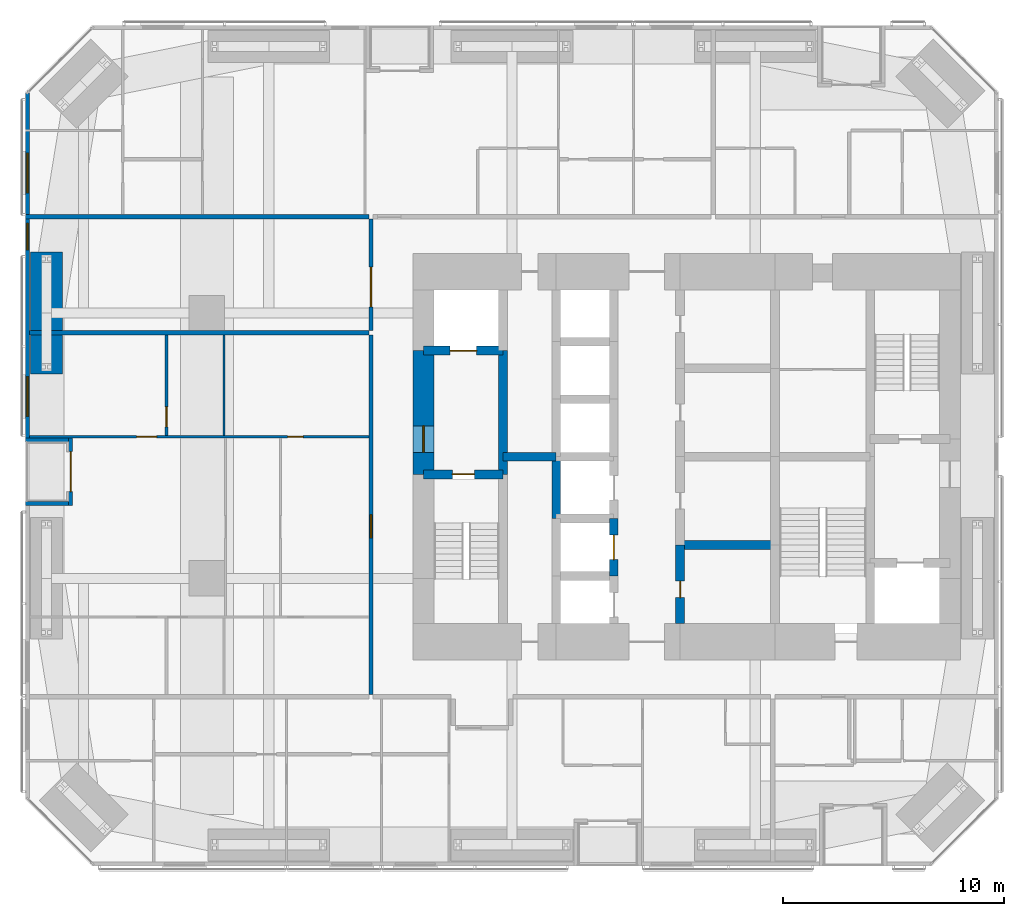
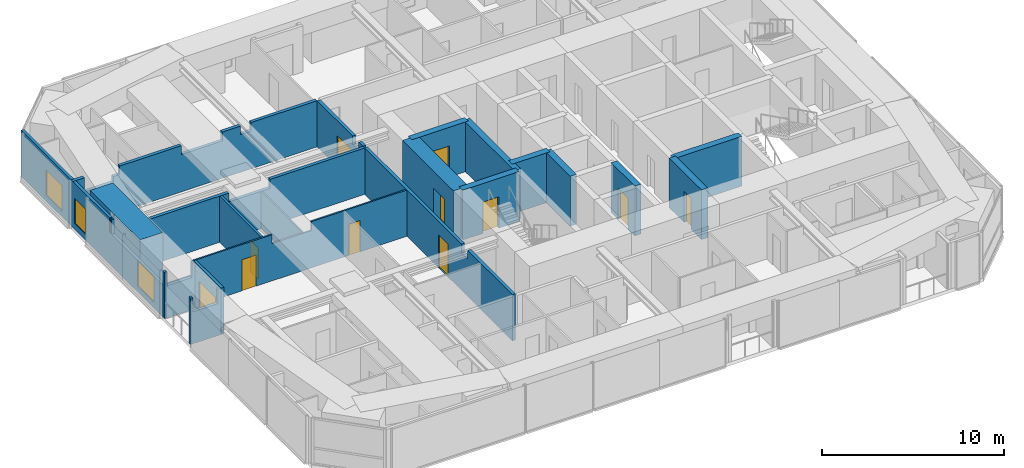
# One storey, part 19 of 24: 21 walls, 11 doors, 3 windows, 14 openings.
"""IFC4 building model written with IfcOpenShell, lengths in metres."""

from ifc_helpers import new_model, si_unit, direction, frame, frame_2d, origin, place, context, subcontext, project, spatial, polyline, rectangle, outline, extrude, material, layer, layer_set, constituent, constituent_set, type_object, element, fill, save


model = new_model("IFC4")

# Units and contexts
model_context = context("Model", 3, precision=1e-05, world=origin(), true_north=direction((0.0, 1.0)))
body_context = subcontext(model_context, "Body", "Model", "MODEL_VIEW")
ifc_project = project(units=[si_unit("LENGTHUNIT", "METRE"), si_unit("AREAUNIT", "SQUARE_METRE"), si_unit("VOLUMEUNIT", "CUBIC_METRE"), si_unit("PLANEANGLEUNIT", "RADIAN"), si_unit("MASSUNIT", "GRAM", prefix="KILO")], contexts=[model_context])

# Site, building, storey
site_placement = place(None, origin())
site = spatial("IfcSite", under=ifc_project, at=site_placement, CompositionType="ELEMENT")
building_placement = place(site_placement, origin())
building = spatial("IfcBuilding", under=site, at=building_placement, Name="Jalousie Tower", CompositionType="ELEMENT")
storey_placement = place(building_placement, frame((0.0, 0.0, 57.85009765625)))
storey = spatial("IfcBuildingStorey", under=building, at=storey_placement, Name="L15", CompositionType="ELEMENT", Elevation=57.85009765625)

# Wall, opening, door
ifc_material_1 = material(Name="Concrete block ASTM C90", Category="concrete")
ifc_constituent_1 = constituent(ifc_material_1, Name="Body")
ifc_material_2 = material(Name="Render")
ifc_constituent_2 = constituent(ifc_material_2, Name="Finish")
ifc_constituent_set_1 = constituent_set(constituents=[ifc_constituent_1, ifc_constituent_2])
wall_type_1 = type_object("IfcWallType", Name="BATHROOM WALL 150", PredefinedType="PLUMBINGWALL", material=ifc_constituent_set_1)
wall_1_placement = place(storey_placement, frame((8.375, 19.449951171875, 0.0), z_axis=(0.0, 0.0, 1.0), x_axis=(0.0, 1.0, 0.0)))
wall_1 = element("IfcWall", 1, at=wall_1_placement, inside=storey, type_object=wall_type_1, Name="Bathroom Wall 150 L15", PredefinedType="PLUMBINGWALL", context=body_context, shape_type="SweptSolid", body=[
    extrude(rectangle(XDim=4.550048828125, YDim=0.14990234375, at=frame_2d((2.27490234375, 0.0))), origin(), (0.0, 0.0, 1.0), 3.10986328125),
])
opening_1_placement = place(wall_1_placement, frame((0.39990234375, 0.0, 0.0)))
opening_1 = element("IfcOpeningElement", 2, at=opening_1_placement, cuts=wall_1, Name="Opening D3", PredefinedType="OPENING", context=body_context, shape_type="SweptSolid", body=[
    extrude(rectangle(XDim=0.89990234375, YDim=2.10009765625, at=frame_2d((0.449951171875, 1.050048828125))), frame((0.0, 0.0849609375, 0.0), z_axis=(0.0, -1.0, 0.0), x_axis=(1.0, 0.0, 0.0)), (0.0, 0.0, 1.0), 0.169921875),
])
ifc_material_3 = material(Name="Timber door", Category="wood")
door_type_1 = type_object("IfcDoorType", Name="BATHROOM DOOR 900", OperationType="SINGLE_SWING_LEFT", PredefinedType="DOOR", material=ifc_material_3)
door_1_placement = place(opening_1_placement, frame((0.89990234375, 0.0, 0.0), z_axis=(0.0, 0.0, 1.0), x_axis=(-1.0, 0.0, 0.0)))
door_1 = element("IfcDoor", 3, at=door_1_placement, inside=storey, type_object=door_type_1, Name="Apartment 1505 bedroom 2 bathroom door", OperationType="SINGLE_SWING_RIGHT", OverallHeight=2.10009765625, OverallWidth=0.89990234375, PredefinedType="DOOR", context=body_context, shape_type="SweptSolid", body=[
    extrude(rectangle(XDim=0.89990234375, YDim=2.10009765625, at=frame_2d((0.449951171875, 1.050048828125))), frame((0.0, 0.02490234375, 0.0), z_axis=(0.0, -1.0, 0.0), x_axis=(1.0, 0.0, 0.0)), (0.0, 0.0, 1.0), 0.050048828125),
])
fill(opening_1, door_1)

# Walls
ifc_material_4 = material(Name="Concrete f'c 120 MPa", Category="concrete")
ifc_layer_1 = layer(ifc_material_4, 0.39990234375)
ifc_layer_set_1 = layer_set([ifc_layer_1], Name="Concrete f'c 120 MPa")
wall_type_2 = type_object("IfcWallType", Name="CORE WALL 400", PredefinedType="SHEAR", material=ifc_layer_set_1)
wall_2_placement = place(storey_placement, frame((23.60009765625, 17.699951171875, 0.0), z_axis=(0.0, 0.0, 1.0), x_axis=(0.0, 1.0, 0.0)))
element("IfcWall", 4, at=wall_2_placement, inside=storey, type_object=wall_type_2, Name="Core wall X23.6B L15", PredefinedType="SHEAR", context=body_context, shape_type="SweptSolid", body=[
    extrude(rectangle(XDim=5.60009765625, YDim=0.39990234375, at=frame_2d((2.800048828125, 0.0))), origin(), (0.0, 0.0, 1.0), 3.349853515625),
])
wall_3_placement = place(storey_placement, frame((26.0, 15.699951171875, 0.0), z_axis=(0.0, 0.0, 1.0), x_axis=(0.0, 1.0, 0.0)))
element("IfcWall", 5, at=wall_3_placement, inside=storey, type_object=wall_type_2, Name="Core wall X26C L15", PredefinedType="SHEAR", context=body_context, shape_type="SweptSolid", body=[
    extrude(rectangle(XDim=2.800048828125, YDim=0.39990234375, at=frame_2d((1.39990234375, 0.0))), origin(), (0.0, 0.0, 1.0), 3.349853515625),
])

# Wall, opening, door
wall_4_placement = place(storey_placement, frame((28.60009765625, 13.10009765625, 0.0), z_axis=(0.0, 0.0, 1.0), x_axis=(0.0, 1.0, 0.0)))
wall_4 = element("IfcWall", 6, at=wall_4_placement, inside=storey, type_object=wall_type_2, Name="Core wall X28.6B L15", PredefinedType="SHEAR", context=body_context, shape_type="SweptSolid", body=[
    extrude(rectangle(XDim=2.599853515625, YDim=0.39990234375, at=frame_2d((1.2998046875, 0.0))), origin(), (0.0, 0.0, 1.0), 3.349853515625),
])
opening_2_placement = place(wall_4_placement, frame((0.75, 0.0, 0.0)))
opening_2 = element("IfcOpeningElement", 7, at=opening_2_placement, cuts=wall_4, Name="Opening LD1", PredefinedType="OPENING", context=body_context, shape_type="SweptSolid", body=[
    extrude(rectangle(XDim=1.10009765625, YDim=2.10009765625, at=frame_2d((0.550048828125, 1.050048828125))), frame((0.0, 0.2099609375, 0.0), z_axis=(0.0, -1.0, 0.0), x_axis=(1.0, 0.0, 0.0)), (0.0, 0.0, 1.0), 0.419921875),
])
ifc_material_5 = material(Name="Steel lift landing door", Category="steel")
door_type_2 = type_object("IfcDoorType", Name="LIFT LANDING DOOR 1100", OperationType="SLIDING_TO_LEFT", PredefinedType="DOOR", material=ifc_material_5)
door_2_placement = place(opening_2_placement, origin())
door_2 = element("IfcDoor", 8, at=door_2_placement, inside=storey, type_object=door_type_2, Name="Lift P2 landing door", OperationType="SLIDING_TO_LEFT", OverallHeight=2.10009765625, OverallWidth=1.10009765625, PredefinedType="DOOR", context=body_context, shape_type="SweptSolid", body=[
    extrude(rectangle(XDim=1.10009765625, YDim=2.10009765625, at=frame_2d((0.550048828125, 1.050048828125))), frame((0.0, 0.02490234375, 0.0), z_axis=(0.0, -1.0, 0.0), x_axis=(1.0, 0.0, 0.0)), (0.0, 0.0, 1.0), 0.050048828125),
])
fill(opening_2, door_2)

wall_5_placement = place(storey_placement, frame((31.60009765625, 10.949951171875, 0.0), z_axis=(0.0, 0.0, 1.0), x_axis=(0.0, 1.0, 0.0)))
wall_5 = element("IfcWall", 9, at=wall_5_placement, inside=storey, type_object=wall_type_2, Name="Core wall X31.6A L15", PredefinedType="SHEAR", context=body_context, shape_type="SweptSolid", body=[
    extrude(rectangle(XDim=3.550048828125, YDim=0.39990234375, at=frame_2d((1.77490234375, 0.0))), origin(), (0.0, 0.0, 1.0), 3.349853515625),
])
opening_3_placement = place(wall_5_placement, frame((1.175048828125, 0.0, 0.0)))
opening_3 = element("IfcOpeningElement", 10, at=opening_3_placement, cuts=wall_5, Name="Opening D16", PredefinedType="OPENING", context=body_context, shape_type="SweptSolid", body=[
    extrude(rectangle(XDim=0.75, YDim=2.10009765625, at=frame_2d((0.375, 1.050048828125))), frame((0.0, 0.2099609375, 0.0), z_axis=(0.0, -1.0, 0.0), x_axis=(1.0, 0.0, 0.0)), (0.0, 0.0, 1.0), 0.419921875),
])
ifc_material_6 = material(Name="Steel fire door", Category="steel")
door_type_3 = type_object("IfcDoorType", Name="RISER DOOR 750", OperationType="SINGLE_SWING_LEFT", PredefinedType="DOOR", material=ifc_material_6)
door_3_placement = place(opening_3_placement, frame((0.75, 0.0, 0.0), z_axis=(0.0, 0.0, 1.0), x_axis=(-1.0, 0.0, 0.0)))
door_3 = element("IfcDoor", 11, at=door_3_placement, inside=storey, type_object=door_type_3, Name="Refuse Room door", OperationType="SINGLE_SWING_RIGHT", OverallHeight=2.10009765625, OverallWidth=0.75, PredefinedType="DOOR", context=body_context, shape_type="SweptSolid", body=[
    extrude(rectangle(XDim=0.75, YDim=2.10009765625, at=frame_2d((0.375, 1.050048828125))), frame((0.0, 0.02490234375, 0.0), z_axis=(0.0, -1.0, 0.0), x_axis=(1.0, 0.0, 0.0)), (0.0, 0.0, 1.0), 0.050048828125),
])
fill(opening_3, door_3)

wall_6_placement = place(storey_placement, frame((20.0, 17.699951171875, 0.0), z_axis=(0.0, 0.0, 1.0), x_axis=(1.0, 0.0, 0.0)))
wall_6 = element("IfcWall", 12, at=wall_6_placement, inside=storey, type_object=wall_type_2, Name="Core wall Y20-17.7 L15", PredefinedType="SHEAR", context=body_context, shape_type="SweptSolid", body=[
    extrude(rectangle(XDim=3.60009765625, YDim=0.39990234375, at=frame_2d((1.800048828125, 0.0))), origin(), (0.0, 0.0, 1.0), 3.349853515625),
])
opening_4_placement = place(wall_6_placement, frame((1.300048828125, 0.0, 0.0)))
opening_4 = element("IfcOpeningElement", 13, at=opening_4_placement, cuts=wall_6, Name="Opening D10", PredefinedType="OPENING", context=body_context, shape_type="SweptSolid", body=[
    extrude(rectangle(XDim=1.0, YDim=2.10009765625, at=frame_2d((0.5, 1.050048828125))), frame((0.0, 0.2099609375, 0.0), z_axis=(0.0, -1.0, 0.0), x_axis=(1.0, 0.0, 0.0)), (0.0, 0.0, 1.0), 0.419921875),
])
ifc_material_7 = material(Name="Steel fire door", Category="steel")
door_type_4 = type_object("IfcDoorType", Name="STAIR DOOR 1000", OperationType="SINGLE_SWING_LEFT", PredefinedType="DOOR", material=ifc_material_7)
door_4_placement = place(opening_4_placement, frame((1.0, 0.0, 0.0), z_axis=(0.0, 0.0, 1.0), x_axis=(-1.0, 0.0, 0.0)))
door_4 = element("IfcDoor", 14, at=door_4_placement, inside=storey, type_object=door_type_4, Name="Exit stair A door", OperationType="SINGLE_SWING_RIGHT", OverallHeight=2.10009765625, OverallWidth=1.0, PredefinedType="DOOR", context=body_context, shape_type="SweptSolid", body=[
    extrude(rectangle(XDim=1.0, YDim=2.10009765625, at=frame_2d((0.5, 1.050048828125))), frame((0.0, 0.02490234375, 0.0), z_axis=(0.0, -1.0, 0.0), x_axis=(1.0, 0.0, 0.0)), (0.0, 0.0, 1.0), 0.050048828125),
])
fill(opening_4, door_4)

wall_7_placement = place(storey_placement, frame((20.0, 23.300048828125, 0.0), z_axis=(0.0, 0.0, 1.0), x_axis=(1.0, 0.0, 0.0)))
wall_7 = element("IfcWall", 15, at=wall_7_placement, inside=storey, type_object=wall_type_2, Name="Core wall Y20-23.3 L15", PredefinedType="SHEAR", context=body_context, shape_type="SweptSolid", body=[
    extrude(rectangle(XDim=3.60009765625, YDim=0.39990234375, at=frame_2d((1.800048828125, 0.0))), origin(), (0.0, 0.0, 1.0), 3.349853515625),
])
opening_5_placement = place(wall_7_placement, frame((1.199951171875, 0.0, 0.0)))
opening_5 = element("IfcOpeningElement", 16, at=opening_5_placement, cuts=wall_7, Name="Opening LD2", PredefinedType="OPENING", context=body_context, shape_type="SweptSolid", body=[
    extrude(rectangle(XDim=1.199951171875, YDim=2.10009765625, at=frame_2d((0.60009765625, 1.050048828125))), frame((0.0, 0.2099609375, 0.0), z_axis=(0.0, -1.0, 0.0), x_axis=(1.0, 0.0, 0.0)), (0.0, 0.0, 1.0), 0.419921875),
])
ifc_material_8 = material(Name="Steel lift landing door", Category="steel")
door_type_5 = type_object("IfcDoorType", Name="LIFT LANDING DOOR 1200", OperationType="SLIDING_TO_LEFT", PredefinedType="DOOR", material=ifc_material_8)
door_5_placement = place(opening_5_placement, origin())
door_5 = element("IfcDoor", 17, at=door_5_placement, inside=storey, type_object=door_type_5, Name="Lift F1 landing door", OperationType="SLIDING_TO_LEFT", OverallHeight=2.10009765625, OverallWidth=1.199951171875, PredefinedType="DOOR", context=body_context, shape_type="SweptSolid", body=[
    extrude(rectangle(XDim=1.199951171875, YDim=2.10009765625, at=frame_2d((0.60009765625, 1.050048828125))), frame((0.0, 0.02490234375, 0.0), z_axis=(0.0, -1.0, 0.0), x_axis=(1.0, 0.0, 0.0)), (0.0, 0.0, 1.0), 0.050048828125),
])
fill(opening_5, door_5)

# Walls
wall_8_placement = place(storey_placement, frame((23.60009765625, 18.5, 0.0), z_axis=(0.0, 0.0, 1.0), x_axis=(1.0, 0.0, 0.0)))
element("IfcWall", 18, at=wall_8_placement, inside=storey, type_object=wall_type_2, Name="Core wall Y23.6-18.5 L15", PredefinedType="SHEAR", context=body_context, shape_type="SweptSolid", body=[
    extrude(rectangle(XDim=2.39990234375, YDim=0.39990234375, at=frame_2d((1.199951171875, 0.0))), origin(), (0.0, 0.0, 1.0), 3.349853515625),
])
wall_9_placement = place(storey_placement, frame((31.60009765625, 14.5, 0.0), z_axis=(0.0, 0.0, 1.0), x_axis=(1.0, 0.0, 0.0)))
element("IfcWall", 19, at=wall_9_placement, inside=storey, type_object=wall_type_2, Name="Core wall Y31.6-14.5 L15", PredefinedType="SHEAR", context=body_context, shape_type="SweptSolid", body=[
    extrude(rectangle(XDim=4.2998046875, YDim=0.39990234375, at=frame_2d((2.14990234375, 0.0))), origin(), (0.0, 0.0, 1.0), 3.349853515625),
])

# Wall, opening, door
ifc_material_9 = material(Name="Concrete f'c 120 MPa", Category="concrete")
ifc_layer_2 = layer(ifc_material_9, 0.949951171875)
ifc_layer_set_2 = layer_set([ifc_layer_2], Name="Concrete f'c 120 MPa")
wall_type_3 = type_object("IfcWallType", Name="CORE WALL 950", PredefinedType="SHEAR", material=ifc_layer_set_2)
wall_10_placement = place(storey_placement, frame((20.0, 23.300048828125, 0.0), z_axis=(0.0, 0.0, 1.0), x_axis=(0.0, -1.0, 0.0)))
wall_10 = element("IfcWall", 20, at=wall_10_placement, inside=storey, type_object=wall_type_3, Name="Core wall WB L15", PredefinedType="SHEAR", context=body_context, shape_type="SweptSolid", body=[
    extrude(rectangle(XDim=5.60009765625, YDim=0.949951171875, at=frame_2d((2.800048828125, 0.0))), origin(), (0.0, 0.0, 1.0), 3.349853515625),
])
opening_6_placement = place(wall_10_placement, frame((3.39990234375, 0.0, 0.0)))
opening_6 = element("IfcOpeningElement", 21, at=opening_6_placement, cuts=wall_10, Name="Opening D11", PredefinedType="OPENING", context=body_context, shape_type="SweptSolid", body=[
    extrude(rectangle(XDim=1.199951171875, YDim=2.199951171875, at=frame_2d((0.60009765625, 1.10009765625))), frame((0.0, 0.48486328125, 0.0), z_axis=(0.0, -1.0, 0.0), x_axis=(1.0, 0.0, 0.0)), (0.0, 0.0, 1.0), 0.969970703125),
])
ifc_material_10 = material(Name="Steel fire door", Category="steel")
door_type_6 = type_object("IfcDoorType", Name="FIRE DOOR 1200", OperationType="SINGLE_SWING_LEFT", PredefinedType="DOOR", material=ifc_material_10)
door_6_placement = place(opening_6_placement, origin())
door_6 = element("IfcDoor", 22, at=door_6_placement, inside=storey, type_object=door_type_6, Name="Fire-fighting lobby A door", OperationType="SINGLE_SWING_RIGHT", OverallHeight=2.199951171875, OverallWidth=1.199951171875, PredefinedType="DOOR", context=body_context, shape_type="SweptSolid", body=[
    extrude(rectangle(XDim=1.199951171875, YDim=2.199951171875, at=frame_2d((0.60009765625, 1.10009765625))), frame((0.0, 0.02490234375, 0.0), z_axis=(0.0, -1.0, 0.0), x_axis=(1.0, 0.0, 0.0)), (0.0, 0.0, 1.0), 0.050048828125),
])
fill(opening_6, door_6)

ifc_material_11 = material(Name="Concrete block ASTM C90", Category="concrete")
ifc_constituent_3 = constituent(ifc_material_11, Name="Body")
ifc_material_12 = material(Name="Render")
ifc_constituent_4 = constituent(ifc_material_12, Name="Finish")
ifc_constituent_set_2 = constituent_set(constituents=[ifc_constituent_3, ifc_constituent_4])
wall_type_4 = type_object("IfcWallType", Name="CORRIDOR WALL 200", PredefinedType="PARTITIONING", material=ifc_constituent_set_2)
wall_11_placement = place(storey_placement, frame((17.625, 7.75, 0.0), z_axis=(0.0, 0.0, 1.0), x_axis=(0.0, 1.0, 0.0)))
wall_11 = element("IfcWall", 23, at=wall_11_placement, inside=storey, type_object=wall_type_4, Name="Corridor Wall 200 L15", PredefinedType="PARTITIONING", context=body_context, shape_type="SweptSolid", body=[
    extrude(outline(polyline([(0.0, 0.0), (16.25, 0.0), (16.25, 3.10986328125), (5.58740234375, 3.10986328125), (5.58740234375, 2.541015625), (4.91259765625, 2.541015625), (4.91259765625, 3.10986328125), (0.0, 3.10986328125), (0.0, 0.0)])), frame((0.0, 0.10009765625, 0.0), z_axis=(0.0, -1.0, 0.0), x_axis=(1.0, 0.0, 0.0)), (0.0, 0.0, 1.0), 0.199951171875),
])
opening_7_placement = place(wall_11_placement, frame((7.074951171875, 0.0, 0.0)))
opening_7 = element("IfcOpeningElement", 24, at=opening_7_placement, cuts=wall_11, Name="Opening D1", PredefinedType="OPENING", context=body_context, shape_type="SweptSolid", body=[
    extrude(rectangle(XDim=1.050048828125, YDim=2.199951171875, at=frame_2d((0.52490234375, 1.10009765625))), frame((0.0, 0.10986328125, 0.0), z_axis=(0.0, -1.0, 0.0), x_axis=(1.0, 0.0, 0.0)), (0.0, 0.0, 1.0), 0.219970703125),
])
ifc_material_13 = material(Name="Timber fire door", Category="wood")
door_type_7 = type_object("IfcDoorType", Name="APARTMENT ENTRANCE DOOR 1050", OperationType="SINGLE_SWING_LEFT", PredefinedType="DOOR", material=ifc_material_13)
door_7_placement = place(opening_7_placement, origin())
door_7 = element("IfcDoor", 25, at=door_7_placement, inside=storey, type_object=door_type_7, Name="Apartment 1505 entrance", OperationType="SINGLE_SWING_LEFT", OverallHeight=2.199951171875, OverallWidth=1.050048828125, PredefinedType="DOOR", context=body_context, shape_type="SweptSolid", body=[
    extrude(rectangle(XDim=1.050048828125, YDim=2.199951171875, at=frame_2d((0.52490234375, 1.10009765625))), frame((0.0, 0.02490234375, 0.0), z_axis=(0.0, -1.0, 0.0), x_axis=(1.0, 0.0, 0.0)), (0.0, 0.0, 1.0), 0.050048828125),
])
fill(opening_7, door_7)

wall_12_placement = place(storey_placement, frame((17.625, 24.199951171875, 0.0), z_axis=(0.0, 0.0, 1.0), x_axis=(0.0, 1.0, 0.0)))
wall_12 = element("IfcWall", 26, at=wall_12_placement, inside=storey, type_object=wall_type_4, Name="Corridor Wall 200 L15", PredefinedType="PARTITIONING", context=body_context, shape_type="SweptSolid", body=[
    extrude(outline(polyline([(0.0, 0.0), (5.050048828125, 0.0), (5.050048828125, 3.10986328125), (1.13720703125, 3.10986328125), (1.13720703125, 2.541015625), (0.462646484375, 2.541015625), (0.462646484375, 3.10986328125), (0.0, 3.10986328125), (0.0, 0.0)])), frame((0.0, 0.10009765625, 0.0), z_axis=(0.0, -1.0, 0.0), x_axis=(1.0, 0.0, 0.0)), (0.0, 0.0, 1.0), 0.199951171875),
])
opening_8_placement = place(wall_12_placement, frame((1.074951171875, 0.0, 0.0)))
opening_8 = element("IfcOpeningElement", 27, at=opening_8_placement, cuts=wall_12, Name="Opening D22", PredefinedType="OPENING", context=body_context, shape_type="SweptSolid", body=[
    extrude(rectangle(XDim=1.800048828125, YDim=2.10009765625, at=frame_2d((0.89990234375, 1.050048828125))), frame((0.0, 0.10986328125, 0.0), z_axis=(0.0, -1.0, 0.0), x_axis=(1.0, 0.0, 0.0)), (0.0, 0.0, 1.0), 0.219970703125),
])
ifc_material_14 = material(Name="Timber fire door", Category="wood")
door_type_8 = type_object("IfcDoorType", Name="CORRIDOR DOUBLE DOOR 1800", OperationType="DOUBLE_DOOR_SINGLE_SWING", PredefinedType="DOOR", material=ifc_material_14)
door_8_placement = place(opening_8_placement, origin())
door_8 = element("IfcDoor", 28, at=door_8_placement, inside=storey, type_object=door_type_8, Name="Residents' co-working room door", OperationType="DOUBLE_DOOR_SINGLE_SWING", OverallHeight=2.10009765625, OverallWidth=1.800048828125, PredefinedType="DOOR", context=body_context, shape_type="SweptSolid", body=[
    extrude(rectangle(XDim=1.800048828125, YDim=2.10009765625, at=frame_2d((0.89990234375, 1.050048828125))), frame((0.0, 0.02490234375, 0.0), z_axis=(0.0, -1.0, 0.0), x_axis=(1.0, 0.0, 0.0)), (0.0, 0.0, 1.0), 0.050048828125),
])
fill(opening_8, door_8)

# Wall, openings, windows
ifc_material_15 = material(Name="Concrete f'c 40 MPa", Category="concrete")
ifc_constituent_5 = constituent(ifc_material_15, Name="Body")
ifc_material_16 = material(Name="Render, pastel coral")
ifc_constituent_6 = constituent(ifc_material_16, Name="Finish")
ifc_constituent_set_3 = constituent_set(constituents=[ifc_constituent_5, ifc_constituent_6])
wall_type_5 = type_object("IfcWallType", Name="EXTERNAL WALL 175 CORAL RENDER", PredefinedType="SOLIDWALL", material=ifc_constituent_set_3)
wall_13_placement = place(storey_placement, frame((2.08740234375, 34.94873046875, 0.0), z_axis=(0.0, 0.0, 1.0), x_axis=(0.0, -1.0, 0.0)))
wall_13 = element("IfcWall", 29, at=wall_13_placement, inside=storey, type_object=wall_type_5, Name="External Wall 175 Coral Render L15", PredefinedType="SOLIDWALL", context=body_context, shape_type="SweptSolid", body=[
    extrude(outline(polyline([(0.0, 0.0), (15.5986328125, 0.0), (15.5986328125, 2.14990234375), (9.94873046875, 2.14990234375), (9.94873046875, 3.10986328125), (9.822998046875, 3.10986328125), (9.822998046875, 2.14990234375), (9.72998046875, 2.14990234375), (9.72998046875, 3.10986328125), (0.0, 3.10986328125), (0.0, 0.0)])), frame((0.0, 0.08740234375, 0.0), z_axis=(0.0, -1.0, 0.0), x_axis=(1.0, 0.0, 0.0)), (0.0, 0.0, 1.0), 0.175048828125),
])
opening_9_placement = place(wall_13_placement, frame((2.72216796875, 0.0, 0.39990234375)))
opening_9 = element("IfcOpeningElement", 30, at=opening_9_placement, cuts=wall_13, Name="Opening W-BED170", PredefinedType="OPENING", context=body_context, shape_type="SweptSolid", body=[
    extrude(rectangle(XDim=1.800048828125, YDim=1.699951171875, at=frame_2d((0.89990234375, 0.85009765625))), frame((0.0, 0.097412109375, 0.0), z_axis=(0.0, -1.0, 0.0), x_axis=(1.0, 0.0, 0.0)), (0.0, 0.0, 1.0), 0.195068359375),
])
opening_10_placement = place(wall_13_placement, frame((5.898681640625, 0.0, 0.39990234375)))
opening_10 = element("IfcOpeningElement", 31, at=opening_10_placement, cuts=wall_13, Name="Opening W-COR170", PredefinedType="OPENING", context=body_context, shape_type="SweptSolid", body=[
    extrude(rectangle(XDim=1.199951171875, YDim=1.699951171875, at=frame_2d((0.60009765625, 0.85009765625))), frame((0.0, 0.097412109375, 0.0), z_axis=(0.0, -1.0, 0.0), x_axis=(1.0, 0.0, 0.0)), (0.0, 0.0, 1.0), 0.195068359375),
])
opening_11_placement = place(wall_13_placement, frame((12.82373046875, 0.0, 0.39990234375)))
opening_11 = element("IfcOpeningElement", 32, at=opening_11_placement, cuts=wall_13, Name="Opening W-BED170", PredefinedType="OPENING", context=body_context, shape_type="SweptSolid", body=[
    extrude(rectangle(XDim=1.800048828125, YDim=1.699951171875, at=frame_2d((0.89990234375, 0.85009765625))), frame((0.0, 0.097412109375, 0.0), z_axis=(0.0, -1.0, 0.0), x_axis=(1.0, 0.0, 0.0)), (0.0, 0.0, 1.0), 0.195068359375),
])
ifc_material_17 = material(Name="Aluminium frame, impact-rated glazing", Category="aluminium")
window_type_1 = type_object("IfcWindowType", Name="WINDOW BED 1800x1700", PartitioningType="SINGLE_PANEL", PredefinedType="WINDOW", material=ifc_material_17)
window_1_placement = place(opening_9_placement, origin())
window_1 = element("IfcWindow", 33, at=window_1_placement, inside=storey, type_object=window_type_1, Name="Apartment 1503 bedroom 1 window", OverallHeight=1.699951171875, OverallWidth=1.800048828125, PartitioningType="SINGLE_PANEL", PredefinedType="WINDOW", context=body_context, shape_type="SweptSolid", body=[
    extrude(rectangle(XDim=1.800048828125, YDim=1.699951171875, at=frame_2d((0.89990234375, 0.85009765625))), frame((0.0, 0.030029296875, 0.0), z_axis=(0.0, -1.0, 0.0), x_axis=(1.0, 0.0, 0.0)), (0.0, 0.0, 1.0), 0.06005859375),
])
fill(opening_9, window_1)
window_2_placement = place(opening_11_placement, origin())
window_2 = element("IfcWindow", 34, at=window_2_placement, inside=storey, type_object=window_type_1, Name="Apartment 1505 bedroom 2 window", OverallHeight=1.699951171875, OverallWidth=1.800048828125, PartitioningType="SINGLE_PANEL", PredefinedType="WINDOW", context=body_context, shape_type="SweptSolid", body=[
    extrude(rectangle(XDim=1.800048828125, YDim=1.699951171875, at=frame_2d((0.89990234375, 0.85009765625))), frame((0.0, 0.030029296875, 0.0), z_axis=(0.0, -1.0, 0.0), x_axis=(1.0, 0.0, 0.0)), (0.0, 0.0, 1.0), 0.06005859375),
])
fill(opening_11, window_2)
ifc_material_18 = material(Name="Aluminium frame, impact-rated glazing", Category="aluminium")
window_type_2 = type_object("IfcWindowType", Name="WINDOW COR 1200x1700", PartitioningType="SINGLE_PANEL", PredefinedType="WINDOW", material=ifc_material_18)
window_3_placement = place(opening_10_placement, origin())
window_3 = element("IfcWindow", 35, at=window_3_placement, inside=storey, type_object=window_type_2, Name="Residents' co-working room window", OverallHeight=1.699951171875, OverallWidth=1.199951171875, PartitioningType="SINGLE_PANEL", PredefinedType="WINDOW", context=body_context, shape_type="SweptSolid", body=[
    extrude(rectangle(XDim=1.199951171875, YDim=1.699951171875, at=frame_2d((0.60009765625, 0.85009765625))), frame((0.0, 0.030029296875, 0.0), z_axis=(0.0, -1.0, 0.0), x_axis=(1.0, 0.0, 0.0)), (0.0, 0.0, 1.0), 0.06005859375),
])
fill(opening_10, window_3)

# Wall, opening, door
wall_14_placement = place(storey_placement, frame((4.03759765625, 19.35009765625, 0.0), z_axis=(0.0, 0.0, 1.0), x_axis=(0.0, -1.0, 0.0)))
wall_14 = element("IfcWall", 36, at=wall_14_placement, inside=storey, type_object=wall_type_5, Name="External Wall 175 Coral Render L15", PredefinedType="SOLIDWALL", context=body_context, shape_type="SweptSolid", body=[
    extrude(rectangle(XDim=3.050048828125, YDim=0.175048828125, at=frame_2d((1.52490234375, 0.0))), origin(), (0.0, 0.0, 1.0), 3.10986328125),
])
opening_12_placement = place(wall_14_placement, frame((0.625, 0.0, 0.0)))
opening_12 = element("IfcOpeningElement", 37, at=opening_12_placement, cuts=wall_14, Name="Opening D-BAL21", PredefinedType="OPENING", context=body_context, shape_type="SweptSolid", body=[
    extrude(rectangle(XDim=1.800048828125, YDim=2.10009765625, at=frame_2d((0.89990234375, 1.050048828125))), frame((0.0, 0.097412109375, 0.0), z_axis=(0.0, -1.0, 0.0), x_axis=(1.0, 0.0, 0.0)), (0.0, 0.0, 1.0), 0.195068359375),
])
ifc_material_19 = material(Name="Aluminium frame, impact-rated glazing", Category="aluminium")
door_type_9 = type_object("IfcDoorType", Name="BALCONY DOOR 1800x2100", OperationType="SLIDING_TO_LEFT", PredefinedType="DOOR", material=ifc_material_19)
door_9_placement = place(opening_12_placement, origin())
door_9 = element("IfcDoor", 38, at=door_9_placement, inside=storey, type_object=door_type_9, Name="Apartment 1505 living room loggia door", OperationType="SLIDING_TO_LEFT", OverallHeight=2.10009765625, OverallWidth=1.800048828125, PredefinedType="DOOR", context=body_context, shape_type="SweptSolid", body=[
    extrude(rectangle(XDim=1.800048828125, YDim=2.10009765625, at=frame_2d((0.89990234375, 1.050048828125))), frame((0.0, 0.02490234375, 0.0), z_axis=(0.0, -1.0, 0.0), x_axis=(1.0, 0.0, 0.0)), (0.0, 0.0, 1.0), 0.050048828125),
])
fill(opening_12, door_9)

# Walls
for number, where, z_axis, x_axis, name in (
    (39, (2.0, 19.262451171875, 0.0), (0.0, 0.0, 1.0), (1.0, 0.0, 0.0), "External Wall 175 Coral Render L15"),
    (40, (2.0, 16.387451171875, 0.0), (0.0, 0.0, 1.0), (1.0, 0.0, 0.0), "External Wall 175 Coral Render L15"),
):
    element("IfcWall", number, at=place(storey_placement, frame(where, z_axis=z_axis, x_axis=x_axis)), inside=storey, type_object=wall_type_5, Name=name, PredefinedType="SOLIDWALL", context=body_context, shape_type="SweptSolid", body=[
        extrude(outline(polyline([(0.0, 0.0), (1.949951171875, 0.0), (1.949951171875, 3.10986328125), (1.75, 3.10986328125), (1.75, 2.14990234375), (0.14990234375, 2.14990234375), (0.14990234375, 3.10986328125), (0.0, 3.10986328125), (0.0, 0.0)])), frame((0.0, 0.08740234375, 0.0), z_axis=(0.0, -1.0, 0.0), x_axis=(1.0, 0.0, 0.0)), (0.0, 0.0, 1.0), 0.175048828125),
    ])

# Wall, openings, doors
ifc_material_20 = material(Name="Gypsum board", Category="gypsum")
ifc_constituent_7 = constituent(ifc_material_20, Name="Body")
ifc_material_21 = material(Name="Light-gauge steel studs ASTM A653 SS Grade 33", Category="steel")
ifc_constituent_8 = constituent(ifc_material_21, Name="Framing")
ifc_constituent_set_4 = constituent_set(constituents=[ifc_constituent_7, ifc_constituent_8])
wall_type_6 = type_object("IfcWallType", Name="PARTITION 100", PredefinedType="PARTITIONING", material=ifc_constituent_set_4)
wall_15_placement = place(storey_placement, frame((2.175048828125, 19.39990234375, 0.0), z_axis=(0.0, 0.0, 1.0), x_axis=(1.0, 0.0, 0.0)))
wall_15 = element("IfcWall", 41, at=wall_15_placement, inside=storey, type_object=wall_type_6, Name="Partition 100 L15", PredefinedType="PARTITIONING", context=body_context, shape_type="SweptSolid", body=[
    extrude(outline(polyline([(0.0, 0.0), (15.349853515625, 0.0), (15.35009765625, 3.10986328125), (9.284912109375, 3.10986328125), (9.284912109375, 2.510009765625), (6.764892578125, 2.510009765625), (6.764892578125, 3.10986328125), (1.635009765625, 3.10986328125), (1.635009765625, 2.14990234375), (0.0, 2.14990234375), (0.0, 3.10986328125), (0.0, 0.0)])), frame((0.0, 0.050048828125, 0.0), z_axis=(0.0, -1.0, 0.0), x_axis=(1.0, 0.0, 0.0)), (0.0, 0.0, 1.0), 0.10009765625),
])
opening_13_placement = place(wall_15_placement, frame((4.85009765625, 0.0, 0.0)))
opening_13 = element("IfcOpeningElement", 42, at=opening_13_placement, cuts=wall_15, Name="Opening D2", PredefinedType="OPENING", context=body_context, shape_type="SweptSolid", body=[
    extrude(rectangle(XDim=0.89990234375, YDim=2.10009765625, at=frame_2d((0.449951171875, 1.050048828125))), frame((0.0, 0.06005859375, 0.0), z_axis=(0.0, -1.0, 0.0), x_axis=(1.0, 0.0, 0.0)), (0.0, 0.0, 1.0), 0.1201171875),
])
opening_14_placement = place(wall_15_placement, frame((11.675048828125, 0.0, 0.0)))
opening_14 = element("IfcOpeningElement", 43, at=opening_14_placement, cuts=wall_15, Name="Opening D4", PredefinedType="OPENING", context=body_context, shape_type="SweptSolid", body=[
    extrude(rectangle(XDim=0.699951171875, YDim=2.10009765625, at=frame_2d((0.35009765625, 1.050048828125))), frame((0.0, 0.06005859375, 0.0), z_axis=(0.0, -1.0, 0.0), x_axis=(1.0, 0.0, 0.0)), (0.0, 0.0, 1.0), 0.1201171875),
])
ifc_material_22 = material(Name="Timber door", Category="wood")
door_type_10 = type_object("IfcDoorType", Name="BEDROOM DOOR 900", OperationType="SINGLE_SWING_LEFT", PredefinedType="DOOR", material=ifc_material_22)
door_10_placement = place(opening_13_placement, origin())
door_10 = element("IfcDoor", 44, at=door_10_placement, inside=storey, type_object=door_type_10, Name="Apartment 1505 bedroom 2 door", OperationType="SINGLE_SWING_RIGHT", OverallHeight=2.10009765625, OverallWidth=0.89990234375, PredefinedType="DOOR", context=body_context, shape_type="SweptSolid", body=[
    extrude(rectangle(XDim=0.89990234375, YDim=2.10009765625, at=frame_2d((0.449951171875, 1.050048828125))), frame((0.0, 0.02490234375, 0.0), z_axis=(0.0, -1.0, 0.0), x_axis=(1.0, 0.0, 0.0)), (0.0, 0.0, 1.0), 0.050048828125),
])
fill(opening_13, door_10)
ifc_material_23 = material(Name="Timber door", Category="wood")
door_type_11 = type_object("IfcDoorType", Name="STORE DOOR 700", OperationType="SINGLE_SWING_LEFT", PredefinedType="DOOR", material=ifc_material_23)
door_11_placement = place(opening_14_placement, origin())
door_11 = element("IfcDoor", 45, at=door_11_placement, inside=storey, type_object=door_type_11, Name="Apartment 1505 store door", OperationType="SINGLE_SWING_LEFT", OverallHeight=2.10009765625, OverallWidth=0.699951171875, PredefinedType="DOOR", context=body_context, shape_type="SweptSolid", body=[
    extrude(rectangle(XDim=0.699951171875, YDim=2.10009765625, at=frame_2d((0.35009765625, 1.050048828125))), frame((0.0, 0.02490234375, 0.0), z_axis=(0.0, -1.0, 0.0), x_axis=(1.0, 0.0, 0.0)), (0.0, 0.0, 1.0), 0.050048828125),
])
fill(opening_14, door_11)

# Walls
wall_16_placement = place(storey_placement, frame((10.97509765625, 19.449951171875, 0.0), z_axis=(0.0, 0.0, 1.0), x_axis=(0.0, 1.0, 0.0)))
element("IfcWall", 46, at=wall_16_placement, inside=storey, type_object=wall_type_6, Name="Partition 100 L15", PredefinedType="PARTITIONING", context=body_context, shape_type="SweptSolid", body=[
    extrude(outline(polyline([(0.0, 0.0), (4.550048828125, 0.0), (4.550048828125, 3.10986328125), (4.550048828125, 2.510009765625), (0.0, 2.510009765625), (0.0, 3.10986328125), (0.0, 0.0)])), frame((0.0, 0.050048828125, 0.0), z_axis=(0.0, -1.0, 0.0), x_axis=(1.0, 0.0, 0.0)), (0.0, 0.0, 1.0), 0.10009765625),
])
ifc_material_24 = material(Name="Concrete block ASTM C90", Category="concrete")
ifc_constituent_9 = constituent(ifc_material_24, Name="Body")
ifc_material_25 = material(Name="Render")
ifc_constituent_10 = constituent(ifc_material_25, Name="Finish")
ifc_constituent_set_5 = constituent_set(constituents=[ifc_constituent_9, ifc_constituent_10])
wall_type_7 = type_object("IfcWallType", Name="PARTY WALL 200", PredefinedType="PARTITIONING", material=ifc_constituent_set_5)
wall_17_placement = place(storey_placement, frame((2.0, 29.35009765625, 0.0), z_axis=(0.0, 0.0, 1.0), x_axis=(1.0, 0.0, 0.0)))
element("IfcWall", 47, at=wall_17_placement, inside=storey, type_object=wall_type_7, Name="Party Wall 200 L15", PredefinedType="PARTITIONING", context=body_context, shape_type="SweptSolid", body=[
    extrude(outline(polyline([(0.0, 0.0), (15.52490234375, 0.0), (15.52490234375, 3.10986328125), (11.33740234375, 3.10986328125), (11.33740234375, 2.541015625), (10.66259765625, 2.541015625), (10.66259765625, 3.10986328125), (9.510009765625, 3.10986328125), (9.510009765625, 2.510009765625), (6.889892578125, 2.510009765625), (6.889892578125, 3.10986328125), (2.96875, 3.10986328125), (2.96875, 2.541015625), (2.577392578125, 2.541015625), (2.577392578125, 2.14990234375), (0.7333984375, 2.14990234375), (0.7333984375, 3.10986328125), (0.0, 3.10986328125), (0.0, 0.0)])), frame((0.0, 0.10009765625, 0.0), z_axis=(0.0, -1.0, 0.0), x_axis=(1.0, 0.0, 0.0)), (0.0, 0.0, 1.0), 0.199951171875),
])
wall_18_placement = place(storey_placement, frame((2.175048828125, 24.10009765625, 0.0), z_axis=(0.0, 0.0, 1.0), x_axis=(1.0, 0.0, 0.0)))
element("IfcWall", 48, at=wall_18_placement, inside=storey, type_object=wall_type_7, Name="Party Wall 200 L15", PredefinedType="PARTITIONING", context=body_context, shape_type="SweptSolid", body=[
    extrude(outline(polyline([(0.52880859375, 2.14990234375), (0.0, 2.14990234375), (0.0, 0.0), (0.52880859375, 0.0), (0.52880859375, 0.888671875), (1.021240234375, 0.888671875), (1.021240234375, 0.0), (15.35009765625, 0.0), (15.35009765625, 3.10986328125), (9.3349609375, 3.10986328125), (9.3349609375, 2.510009765625), (6.715087890625, 2.510009765625), (6.715087890625, 3.10986328125), (1.68505859375, 3.10986328125), (1.68505859375, 2.14990234375), (1.021240234375, 2.14990234375), (1.021240234375, 1.260986328125), (0.52880859375, 1.260986328125), (0.52880859375, 2.14990234375)])), frame((0.0, 0.10009765625, 0.0), z_axis=(0.0, -1.0, 0.0), x_axis=(1.0, 0.0, 0.0)), (0.0, 0.0, 1.0), 0.199951171875),
])
ifc_material_26 = material(Name="Concrete f'c 120 MPa", Category="concrete")
ifc_layer_3 = layer(ifc_material_26, 1.449951171875)
ifc_layer_set_3 = layer_set([ifc_layer_3], Name="Concrete f'c 120 MPa")
wall_type_8 = type_object("IfcWallType", Name="RC WALL PIER 1450", PredefinedType="SHEAR", material=ifc_layer_set_3)
wall_19_placement = place(storey_placement, frame((2.949951171875, 22.25, 0.0), z_axis=(0.0, 0.0, 1.0), x_axis=(0.0, 1.0, 0.0)))
element("IfcWall", 49, at=wall_19_placement, inside=storey, type_object=wall_type_8, Name="Wall pier 13 L15", PredefinedType="SHEAR", context=body_context, shape_type="SweptSolid", body=[
    extrude(rectangle(XDim=5.5, YDim=1.449951171875, at=frame_2d((2.75, 0.0))), origin(), (0.0, 0.0, 1.0), 3.349853515625),
])

save(model, "model.ifc")
